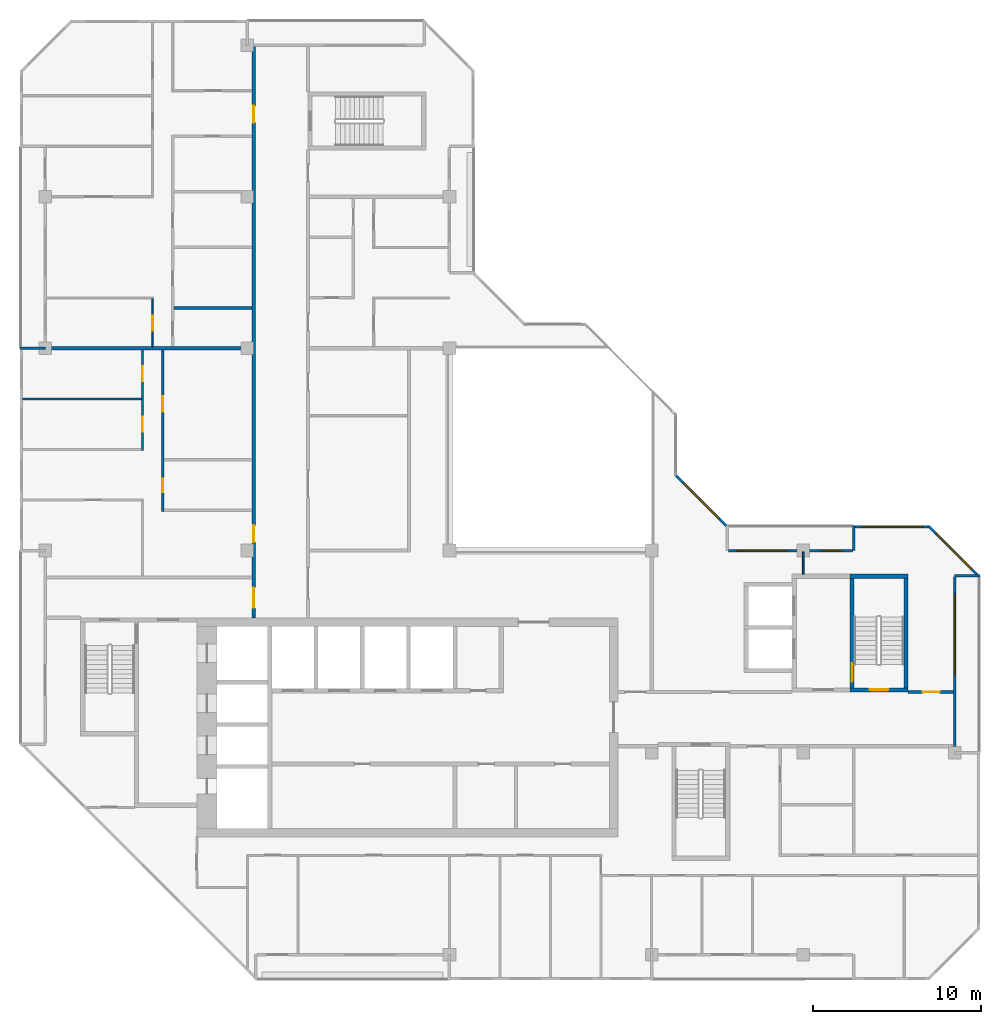
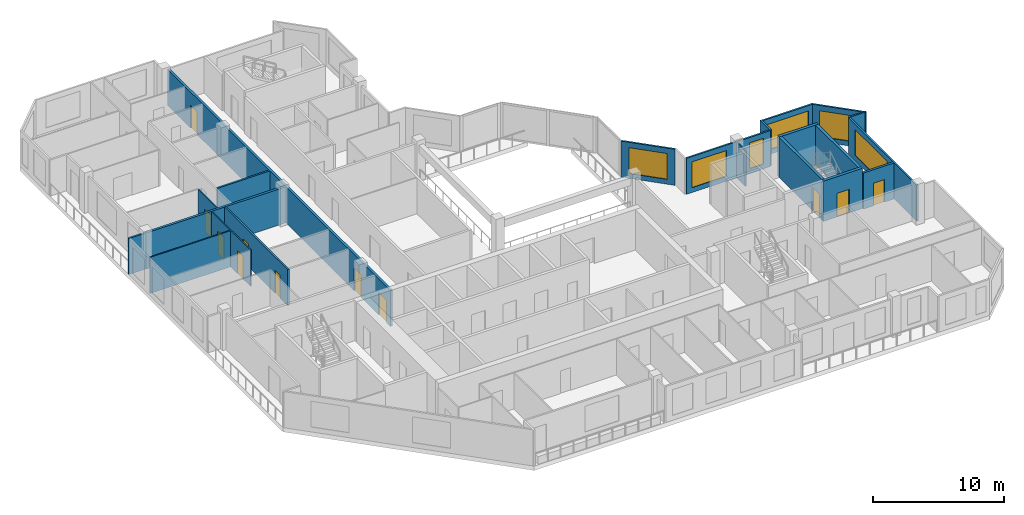
# One storey, part 7 of 12: 21 walls, 11 doors, 6 windows, 17 openings.
"""IFC4 building model written with IfcOpenShell, lengths in metres."""

from ifc_helpers import new_model, si_unit, direction, frame, frame_2d, origin, place, context, subcontext, project, spatial, rectangle, extrude, material, layer, layer_set, type_object, element, fill, save


model = new_model("IFC4")

# Units and contexts
model_context = context("Model", 3, precision=1e-05, world=origin(), true_north=direction((0.0, 1.0)))
body_context = subcontext(model_context, "Body", "Model", "MODEL_VIEW")
ifc_project = project(units=[si_unit("LENGTHUNIT", "METRE"), si_unit("AREAUNIT", "SQUARE_METRE"), si_unit("VOLUMEUNIT", "CUBIC_METRE"), si_unit("PLANEANGLEUNIT", "RADIAN"), si_unit("MASSUNIT", "GRAM", prefix="KILO")], contexts=[model_context])

# Site, building, storey
site_placement = place(None, origin())
site = spatial("IfcSite", under=ifc_project, at=site_placement, CompositionType="ELEMENT")
building_placement = place(site_placement, origin())
building = spatial("IfcBuilding", under=site, at=building_placement, Name="Chenar Terraces", CompositionType="ELEMENT")
storey_placement = place(building_placement, frame((0.0, 0.0, 365.14990234375)))
storey = spatial("IfcBuildingStorey", under=building, at=storey_placement, Name="L85", CompositionType="ELEMENT", Elevation=365.14990234375)

# Wall, opening, door
ifc_material_1 = material(Name="Concrete C50/60", Category="concrete")
ifc_layer_1 = layer(ifc_material_1, 0.25)
ifc_layer_set_1 = layer_set([ifc_layer_1], Name="Concrete C50/60")
wall_type_1 = type_object("IfcWallType", Name="Core wall 250 Concrete C50/60", PredefinedType="SHEAR", material=ifc_layer_set_1)
wall_1_placement = place(storey_placement, frame((47.77490234375, 15.72509765625, 0.0), z_axis=(0.0, 0.0, 1.0), x_axis=(1.0, 0.0, 0.0)))
wall_1 = element("IfcWall", 1, at=wall_1_placement, inside=storey, type_object=wall_type_1, Name="Core wall ST3_S L85", PredefinedType="SHEAR", context=body_context, shape_type="SweptSolid", body=[
    extrude(rectangle(XDim=3.4501953125, YDim=0.25, at=frame_2d((1.72509765625, 0.0))), origin(), (0.0, 0.0, 1.0), 3.75),
])
opening_1_placement = place(wall_1_placement, frame((1.175048828125, 0.0, 0.0)))
opening_1 = element("IfcOpeningElement", 2, at=opening_1_placement, cuts=wall_1, Name="Opening DL85-C8", PredefinedType="OPENING", context=body_context, shape_type="SweptSolid", body=[
    extrude(rectangle(XDim=1.10009765625, YDim=2.199951171875, at=frame_2d((0.550048828125, 1.10009765625))), frame((0.0, 0.135009765625, 0.0), z_axis=(0.0, -1.0, 0.0), x_axis=(1.0, 0.0, 0.0)), (0.0, 0.0, 1.0), 0.27001953125),
])
ifc_material_2 = material(Name="Steel-framed fire-resisting door leaf", Category="steel")
door_type_1 = type_object("IfcDoorType", Name="Stair fire door FD60 1100 x 2200", OperationType="SINGLE_SWING_LEFT", PredefinedType="DOOR", material=ifc_material_2)
door_1_placement = place(opening_1_placement, frame((1.10009765625, 0.0, 0.0), z_axis=(0.0, 0.0, 1.0), x_axis=(-1.0, 0.0, 0.0)))
door_1 = element("IfcDoor", 3, at=door_1_placement, inside=storey, type_object=door_type_1, Name="Stair door DL85-C8", OperationType="SINGLE_SWING_LEFT", OverallHeight=2.199951171875, OverallWidth=1.10009765625, PredefinedType="DOOR", context=body_context, shape_type="SweptSolid", body=[
    extrude(rectangle(XDim=1.10009765625, YDim=2.199951171875, at=frame_2d((0.550048828125, 1.10009765625))), frame((0.0, 0.02490234375, 0.0), z_axis=(0.0, -1.0, 0.0), x_axis=(1.0, 0.0, 0.0)), (0.0, 0.0, 1.0), 0.050048828125),
])
fill(opening_1, door_1)

# Wall
wall_2_placement = place(storey_placement, frame((47.77490234375, 22.47509765625, 0.0), z_axis=(0.0, 0.0, 1.0), x_axis=(1.0, 0.0, 0.0)))
element("IfcWall", 4, at=wall_2_placement, inside=storey, type_object=wall_type_1, Name="Core wall ST3_N L85", PredefinedType="SHEAR", context=body_context, shape_type="SweptSolid", body=[
    extrude(rectangle(XDim=3.4501953125, YDim=0.25, at=frame_2d((1.72509765625, 0.0))), origin(), (0.0, 0.0, 1.0), 3.75),
])

# Wall, opening, door
wall_3_placement = place(storey_placement, frame((47.89990234375, 15.85009765625, 0.0), z_axis=(0.0, 0.0, 1.0), x_axis=(0.0, 1.0, 0.0)))
wall_3 = element("IfcWall", 5, at=wall_3_placement, inside=storey, type_object=wall_type_1, Name="Core wall ST3_W L85", PredefinedType="SHEAR", context=body_context, shape_type="SweptSolid", body=[
    extrude(rectangle(XDim=6.5, YDim=0.25, at=frame_2d((3.25, 0.0))), origin(), (0.0, 0.0, 1.0), 3.75),
])
opening_2_placement = place(wall_3_placement, frame((0.35009765625, 0.0, 0.0)))
opening_2 = element("IfcOpeningElement", 6, at=opening_2_placement, cuts=wall_3, Name="Opening DL85-C11", PredefinedType="OPENING", context=body_context, shape_type="SweptSolid", body=[
    extrude(rectangle(XDim=1.10009765625, YDim=2.199951171875, at=frame_2d((0.550048828125, 1.10009765625))), frame((0.0, 0.135009765625, 0.0), z_axis=(0.0, -1.0, 0.0), x_axis=(1.0, 0.0, 0.0)), (0.0, 0.0, 1.0), 0.27001953125),
])
door_2_placement = place(opening_2_placement, frame((1.10009765625, 0.0, 0.0), z_axis=(0.0, 0.0, 1.0), x_axis=(-1.0, 0.0, 0.0)))
door_2 = element("IfcDoor", 7, at=door_2_placement, inside=storey, type_object=door_type_1, Name="Stair door DL85-C11", OperationType="SINGLE_SWING_RIGHT", OverallHeight=2.199951171875, OverallWidth=1.10009765625, PredefinedType="DOOR", context=body_context, shape_type="SweptSolid", body=[
    extrude(rectangle(XDim=1.10009765625, YDim=2.199951171875, at=frame_2d((0.550048828125, 1.10009765625))), frame((0.0, 0.02490234375, 0.0), z_axis=(0.0, -1.0, 0.0), x_axis=(1.0, 0.0, 0.0)), (0.0, 0.0, 1.0), 0.050048828125),
])
fill(opening_2, door_2)

# Wall
wall_4_placement = place(storey_placement, frame((51.10009765625, 15.85009765625, 0.0), z_axis=(0.0, 0.0, 1.0), x_axis=(0.0, 1.0, 0.0)))
element("IfcWall", 8, at=wall_4_placement, inside=storey, type_object=wall_type_1, Name="Core wall ST3_E L85", PredefinedType="SHEAR", context=body_context, shape_type="SweptSolid", body=[
    extrude(rectangle(XDim=6.5, YDim=0.25, at=frame_2d((3.25, 0.0))), origin(), (0.0, 0.0, 1.0), 3.75),
])

# Wall, openings, doors
ifc_material_3 = material(Name="Gypsum board on steel studs with fire boards", Category="steel")
ifc_layer_2 = layer(ifc_material_3, 0.199951171875)
ifc_layer_set_2 = layer_set([ifc_layer_2], Name="Gypsum board on steel studs with fire boards")
wall_type_2 = type_object("IfcWallType", Name="Corridor wall 200", PredefinedType="PARTITIONING", material=ifc_layer_set_2)
wall_5_placement = place(storey_placement, frame((12.375, 20.0, 0.0), z_axis=(0.0, 0.0, 1.0), x_axis=(0.0, 1.0, 0.0)))
wall_5 = element("IfcWall", 9, at=wall_5_placement, inside=storey, type_object=wall_type_2, Name="Partition L85-030", PredefinedType="PARTITIONING", context=body_context, shape_type="SweptSolid", body=[
    extrude(rectangle(XDim=33.926025390625, YDim=0.199951171875, at=frame_2d((16.962890625, 0.0))), origin(), (0.0, 0.0, 1.0), 3.35009765625),
])
opening_3_placement = place(wall_5_placement, frame((29.39990234375, 0.0, 0.0)))
opening_3 = element("IfcOpeningElement", 10, at=opening_3_placement, cuts=wall_5, Name="Opening DL85-14", PredefinedType="OPENING", context=body_context, shape_type="SweptSolid", body=[
    extrude(rectangle(XDim=1.0, YDim=2.10009765625, at=frame_2d((0.5, 1.050048828125))), frame((0.0, 0.10986328125, 0.0), z_axis=(0.0, -1.0, 0.0), x_axis=(1.0, 0.0, 0.0)), (0.0, 0.0, 1.0), 0.219970703125),
])
opening_4_placement = place(wall_5_placement, frame((0.60009765625, 0.0, 0.0)))
opening_4 = element("IfcOpeningElement", 11, at=opening_4_placement, cuts=wall_5, Name="Opening DL85-21", PredefinedType="OPENING", context=body_context, shape_type="SweptSolid", body=[
    extrude(rectangle(XDim=1.199951171875, YDim=2.10009765625, at=frame_2d((0.60009765625, 1.050048828125))), frame((0.0, 0.10986328125, 0.0), z_axis=(0.0, -1.0, 0.0), x_axis=(1.0, 0.0, 0.0)), (0.0, 0.0, 1.0), 0.219970703125),
])
opening_5_placement = place(wall_5_placement, frame((4.5, 0.0, 0.0)))
opening_5 = element("IfcOpeningElement", 12, at=opening_5_placement, cuts=wall_5, Name="Opening DL85-44", PredefinedType="OPENING", context=body_context, shape_type="SweptSolid", body=[
    extrude(rectangle(XDim=1.0, YDim=2.10009765625, at=frame_2d((0.5, 1.050048828125))), frame((0.0, 0.10986328125, 0.0), z_axis=(0.0, -1.0, 0.0), x_axis=(1.0, 0.0, 0.0)), (0.0, 0.0, 1.0), 0.219970703125),
])
ifc_material_4 = material(Name="Steel-framed fire-resisting door leaf", Category="steel")
door_type_2 = type_object("IfcDoorType", Name="Fire door FD30S 1000 x 2100", OperationType="SINGLE_SWING_LEFT", PredefinedType="DOOR", material=ifc_material_4)
door_3_placement = place(opening_3_placement, origin())
door_3 = element("IfcDoor", 13, at=door_3_placement, inside=storey, type_object=door_type_2, Name="Door DL85-14", OperationType="SINGLE_SWING_LEFT", OverallHeight=2.10009765625, OverallWidth=1.0, PredefinedType="DOOR", context=body_context, shape_type="SweptSolid", body=[
    extrude(rectangle(XDim=1.0, YDim=2.10009765625, at=frame_2d((0.5, 1.050048828125))), frame((0.0, 0.02490234375, 0.0), z_axis=(0.0, -1.0, 0.0), x_axis=(1.0, 0.0, 0.0)), (0.0, 0.0, 1.0), 0.050048828125),
])
fill(opening_3, door_3)
door_4_placement = place(opening_5_placement, origin())
door_4 = element("IfcDoor", 14, at=door_4_placement, inside=storey, type_object=door_type_2, Name="Door DL85-44", OperationType="SINGLE_SWING_LEFT", OverallHeight=2.10009765625, OverallWidth=1.0, PredefinedType="DOOR", context=body_context, shape_type="SweptSolid", body=[
    extrude(rectangle(XDim=1.0, YDim=2.10009765625, at=frame_2d((0.5, 1.050048828125))), frame((0.0, 0.02490234375, 0.0), z_axis=(0.0, -1.0, 0.0), x_axis=(1.0, 0.0, 0.0)), (0.0, 0.0, 1.0), 0.050048828125),
])
fill(opening_5, door_4)
ifc_material_5 = material(Name="Steel-framed fire-resisting door leaf", Category="steel")
door_type_3 = type_object("IfcDoorType", Name="Fire door FD30S 1200 x 2100", OperationType="SINGLE_SWING_LEFT", PredefinedType="DOOR", material=ifc_material_5)
door_5_placement = place(opening_4_placement, origin())
door_5 = element("IfcDoor", 15, at=door_5_placement, inside=storey, type_object=door_type_3, Name="Door DL85-21", OperationType="SINGLE_SWING_RIGHT", OverallHeight=2.10009765625, OverallWidth=1.199951171875, PredefinedType="DOOR", context=body_context, shape_type="SweptSolid", body=[
    extrude(rectangle(XDim=1.199951171875, YDim=2.10009765625, at=frame_2d((0.60009765625, 1.050048828125))), frame((0.0, 0.02490234375, 0.0), z_axis=(0.0, -1.0, 0.0), x_axis=(1.0, 0.0, 0.0)), (0.0, 0.0, 1.0), 0.050048828125),
])
fill(opening_4, door_5)

# Wall, opening, door
wall_6_placement = place(storey_placement, frame((51.22509765625, 15.60009765625, 0.0), z_axis=(0.0, 0.0, 1.0), x_axis=(1.0, 0.0, 0.0)))
wall_6 = element("IfcWall", 16, at=wall_6_placement, inside=storey, type_object=wall_type_2, Name="Partition L85-064", PredefinedType="PARTITIONING", context=body_context, shape_type="SweptSolid", body=[
    extrude(rectangle(XDim=2.700927734375, YDim=0.199951171875, at=frame_2d((1.3505859375, 0.0))), origin(), (0.0, 0.0, 1.0), 3.35009765625),
])
opening_6_placement = place(wall_6_placement, frame((0.875, 0.0, 0.0)))
opening_6 = element("IfcOpeningElement", 17, at=opening_6_placement, cuts=wall_6, Name="Opening DL85-22", PredefinedType="OPENING", context=body_context, shape_type="SweptSolid", body=[
    extrude(rectangle(XDim=1.0, YDim=2.10009765625, at=frame_2d((0.5, 1.050048828125))), frame((0.0, 0.10986328125, 0.0), z_axis=(0.0, -1.0, 0.0), x_axis=(1.0, 0.0, 0.0)), (0.0, 0.0, 1.0), 0.219970703125),
])
ifc_material_6 = material(Name="Steel-framed fire-resisting door leaf", Category="steel")
door_type_4 = type_object("IfcDoorType", Name="Fire door FD60 1000 x 2100", OperationType="SINGLE_SWING_LEFT", PredefinedType="DOOR", material=ifc_material_6)
door_6_placement = place(opening_6_placement, origin())
door_6 = element("IfcDoor", 18, at=door_6_placement, inside=storey, type_object=door_type_4, Name="Door DL85-22", OperationType="SINGLE_SWING_RIGHT", OverallHeight=2.10009765625, OverallWidth=1.0, PredefinedType="DOOR", context=body_context, shape_type="SweptSolid", body=[
    extrude(rectangle(XDim=1.0, YDim=2.10009765625, at=frame_2d((0.5, 1.050048828125))), frame((0.0, 0.02490234375, 0.0), z_axis=(0.0, -1.0, 0.0), x_axis=(1.0, 0.0, 0.0)), (0.0, 0.0, 1.0), 0.050048828125),
])
fill(opening_6, door_6)

# Wall, opening, window
ifc_material_7 = material(Name="Aluminium framed glazing", Category="aluminium")
ifc_layer_3 = layer(ifc_material_7, 0.14990234375)
ifc_layer_set_3 = layer_set([ifc_layer_3], Name="Aluminium framed glazing")
wall_type_3 = type_object("IfcWallType", Name="Glazed flush facade wall 150", PredefinedType="SOLIDWALL", material=ifc_layer_set_3)
wall_7_placement = place(storey_placement, frame((52.5, 25.425048828125, 0.0), z_axis=(0.0, 0.0, 1.0), x_axis=(-1.0, 0.0, 0.0)))
wall_7 = element("IfcWall", 19, at=wall_7_placement, inside=storey, type_object=wall_type_3, Name="Glazed flush facade wall", PredefinedType="SOLIDWALL", context=body_context, shape_type="SweptSolid", body=[
    extrude(rectangle(XDim=4.425048828125, YDim=0.14990234375, at=frame_2d((2.21240234375, 0.0))), origin(), (0.0, 0.0, 1.0), 3.35009765625),
])
opening_7_placement = place(wall_7_placement, frame((0.41259765625, 0.0, 0.449951171875)))
opening_7 = element("IfcOpeningElement", 20, at=opening_7_placement, cuts=wall_7, Name="Opening W360x240", PredefinedType="OPENING", context=body_context, shape_type="SweptSolid", body=[
    extrude(rectangle(XDim=3.60009765625, YDim=2.39990234375, at=frame_2d((1.800048828125, 1.199951171875))), frame((0.0, 0.0849609375, 0.0), z_axis=(0.0, -1.0, 0.0), x_axis=(1.0, 0.0, 0.0)), (0.0, 0.0, 1.0), 0.169921875),
])
ifc_material_8 = material(Name="Low emissivity double glazing, aluminium frame", Category="aluminium")
window_type_1 = type_object("IfcWindowType", Name="Fixed light 3600 x 2400", PartitioningType="SINGLE_PANEL", PredefinedType="WINDOW", material=ifc_material_8)
window_1_placement = place(opening_7_placement, origin())
window_1 = element("IfcWindow", 21, at=window_1_placement, inside=storey, type_object=window_type_1, Name="Window", OverallHeight=2.39990234375, OverallWidth=3.60009765625, PartitioningType="SINGLE_PANEL", PredefinedType="WINDOW", context=body_context, shape_type="SweptSolid", body=[
    extrude(rectangle(XDim=3.60009765625, YDim=2.39990234375, at=frame_2d((1.800048828125, 1.199951171875))), frame((0.0, 0.030029296875, 0.0), z_axis=(0.0, -1.0, 0.0), x_axis=(1.0, 0.0, 0.0)), (0.0, 0.0, 1.0), 0.06005859375),
])
fill(opening_7, window_1)

# Wall, openings, windows
ifc_material_9 = material(Name="Aluminium framed glazing", Category="aluminium")
ifc_layer_4 = layer(ifc_material_9, 0.14990234375)
ifc_layer_set_4 = layer_set([ifc_layer_4], Name="Aluminium framed glazing")
wall_type_4 = type_object("IfcWallType", Name="Glazed loggia back wall 150", PredefinedType="SOLIDWALL", material=ifc_layer_set_4)
wall_8_placement = place(storey_placement, frame((47.925048828125, 24.0, 0.0), z_axis=(0.0, 0.0, 1.0), x_axis=(-1.0, 0.0, 0.0)))
wall_8 = element("IfcWall", 22, at=wall_8_placement, inside=storey, type_object=wall_type_4, Name="Glazed loggia back wall", PredefinedType="SOLIDWALL", context=body_context, shape_type="SweptSolid", body=[
    extrude(rectangle(XDim=7.35009765625, YDim=0.14990234375, at=frame_2d((3.675048828125, 0.0))), origin(), (0.0, 0.0, 1.0), 3.35009765625),
])
opening_8_placement = place(wall_8_placement, frame((0.625, 0.0, 0.449951171875)))
opening_8 = element("IfcOpeningElement", 23, at=opening_8_placement, cuts=wall_8, Name="Opening W120x240", PredefinedType="OPENING", context=body_context, shape_type="SweptSolid", body=[
    extrude(rectangle(XDim=1.199951171875, YDim=2.39990234375, at=frame_2d((0.60009765625, 1.199951171875))), frame((0.0, 0.0849609375, 0.0), z_axis=(0.0, -1.0, 0.0), x_axis=(1.0, 0.0, 0.0)), (0.0, 0.0, 1.0), 0.169921875),
])
opening_9_placement = place(wall_8_placement, frame((3.875, 0.0, 0.449951171875)))
opening_9 = element("IfcOpeningElement", 24, at=opening_9_placement, cuts=wall_8, Name="Opening W300x240", PredefinedType="OPENING", context=body_context, shape_type="SweptSolid", body=[
    extrude(rectangle(XDim=3.0, YDim=2.39990234375, at=frame_2d((1.5, 1.199951171875))), frame((0.0, 0.0849609375, 0.0), z_axis=(0.0, -1.0, 0.0), x_axis=(1.0, 0.0, 0.0)), (0.0, 0.0, 1.0), 0.169921875),
])
ifc_material_10 = material(Name="Low emissivity double glazing, aluminium frame", Category="aluminium")
window_type_2 = type_object("IfcWindowType", Name="Fixed light 1200 x 2400", PartitioningType="SINGLE_PANEL", PredefinedType="WINDOW", material=ifc_material_10)
window_2_placement = place(opening_8_placement, origin())
window_2 = element("IfcWindow", 25, at=window_2_placement, inside=storey, type_object=window_type_2, Name="Window", OverallHeight=2.39990234375, OverallWidth=1.199951171875, PartitioningType="SINGLE_PANEL", PredefinedType="WINDOW", context=body_context, shape_type="SweptSolid", body=[
    extrude(rectangle(XDim=1.199951171875, YDim=2.39990234375, at=frame_2d((0.60009765625, 1.199951171875))), frame((0.0, 0.030029296875, 0.0), z_axis=(0.0, -1.0, 0.0), x_axis=(1.0, 0.0, 0.0)), (0.0, 0.0, 1.0), 0.06005859375),
])
fill(opening_8, window_2)
ifc_material_11 = material(Name="Low emissivity double glazing, aluminium frame", Category="aluminium")
window_type_3 = type_object("IfcWindowType", Name="Fixed light 3000 x 2400", PartitioningType="SINGLE_PANEL", PredefinedType="WINDOW", material=ifc_material_11)
window_3_placement = place(opening_9_placement, origin())
window_3 = element("IfcWindow", 26, at=window_3_placement, inside=storey, type_object=window_type_3, Name="Window", OverallHeight=2.39990234375, OverallWidth=3.0, PartitioningType="SINGLE_PANEL", PredefinedType="WINDOW", context=body_context, shape_type="SweptSolid", body=[
    extrude(rectangle(XDim=3.0, YDim=2.39990234375, at=frame_2d((1.5, 1.199951171875))), frame((0.0, 0.030029296875, 0.0), z_axis=(0.0, -1.0, 0.0), x_axis=(1.0, 0.0, 0.0)), (0.0, 0.0, 1.0), 0.06005859375),
])
fill(opening_9, window_3)

# Wall, opening, window
wall_9_placement = place(storey_placement, frame((54.0, 12.074951171875, 0.0), z_axis=(0.0, 0.0, 1.0), x_axis=(0.0, 1.0, 0.0)))
wall_9 = element("IfcWall", 27, at=wall_9_placement, inside=storey, type_object=wall_type_4, Name="Glazed loggia back wall", PredefinedType="SOLIDWALL", context=body_context, shape_type="SweptSolid", body=[
    extrude(rectangle(XDim=10.35009765625, YDim=0.14990234375, at=frame_2d((5.175048828125, 0.0))), origin(), (0.0, 0.0, 1.0), 3.35009765625),
])
opening_10_placement = place(wall_9_placement, frame((4.53759765625, 0.0, 0.449951171875)))
opening_10 = element("IfcOpeningElement", 28, at=opening_10_placement, cuts=wall_9, Name="Opening W480x240", PredefinedType="OPENING", context=body_context, shape_type="SweptSolid", body=[
    extrude(rectangle(XDim=4.800048828125, YDim=2.39990234375, at=frame_2d((2.39990234375, 1.199951171875))), frame((0.0, 0.0849609375, 0.0), z_axis=(0.0, -1.0, 0.0), x_axis=(1.0, 0.0, 0.0)), (0.0, 0.0, 1.0), 0.169921875),
])
ifc_material_12 = material(Name="Low emissivity double glazing, aluminium frame", Category="aluminium")
window_type_4 = type_object("IfcWindowType", Name="Fixed light 4800 x 2400", PartitioningType="SINGLE_PANEL", PredefinedType="WINDOW", material=ifc_material_12)
window_4_placement = place(opening_10_placement, origin())
window_4 = element("IfcWindow", 29, at=window_4_placement, inside=storey, type_object=window_type_4, Name="Window", OverallHeight=2.39990234375, OverallWidth=4.800048828125, PartitioningType="SINGLE_PANEL", PredefinedType="WINDOW", context=body_context, shape_type="SweptSolid", body=[
    extrude(rectangle(XDim=4.800048828125, YDim=2.39990234375, at=frame_2d((2.39990234375, 1.199951171875))), frame((0.0, 0.030029296875, 0.0), z_axis=(0.0, -1.0, 0.0), x_axis=(1.0, 0.0, 0.0)), (0.0, 0.0, 1.0), 0.06005859375),
])
fill(opening_10, window_4)

# Wall
ifc_material_13 = material(Name="Gypsum board on steel studs", Category="steel")
ifc_layer_5 = layer(ifc_material_13, 0.10009765625)
ifc_layer_set_5 = layer_set([ifc_layer_5], Name="Gypsum board on steel studs")
wall_type_5 = type_object("IfcWallType", Name="Gypsum partition 100", PredefinedType="PARTITIONING", material=ifc_layer_set_5)
wall_10_placement = place(storey_placement, frame((-1.35009765625, 33.0, 0.0), z_axis=(0.0, 0.0, 1.0), x_axis=(1.0, 0.0, 0.0)))
element("IfcWall", 30, at=wall_10_placement, inside=storey, type_object=wall_type_5, Name="Partition L85-003", PredefinedType="PARTITIONING", context=body_context, shape_type="SweptSolid", body=[
    extrude(rectangle(XDim=7.0751953125, YDim=0.10009765625, at=frame_2d((3.53759765625, 0.0))), origin(), (0.0, 0.0, 1.0), 3.35009765625),
])

# Wall, openings, doors
wall_11_placement = place(storey_placement, frame((5.77490234375, 29.949951171875, 0.0), z_axis=(0.0, 0.0, 1.0), x_axis=(0.0, 1.0, 0.0)))
wall_11 = element("IfcWall", 31, at=wall_11_placement, inside=storey, type_object=wall_type_5, Name="Partition L85-013", PredefinedType="PARTITIONING", context=body_context, shape_type="SweptSolid", body=[
    extrude(rectangle(XDim=5.949951171875, YDim=0.10009765625, at=frame_2d((2.97509765625, 0.0))), origin(), (0.0, 0.0, 1.0), 3.35009765625),
])
opening_11_placement = place(wall_11_placement, frame((1.10009765625, 0.0, 0.0)))
opening_11 = element("IfcOpeningElement", 32, at=opening_11_placement, cuts=wall_11, Name="Opening DL85-42", PredefinedType="OPENING", context=body_context, shape_type="SweptSolid", body=[
    extrude(rectangle(XDim=0.89990234375, YDim=2.10009765625, at=frame_2d((0.449951171875, 1.050048828125))), frame((0.0, 0.06005859375, 0.0), z_axis=(0.0, -1.0, 0.0), x_axis=(1.0, 0.0, 0.0)), (0.0, 0.0, 1.0), 0.1201171875),
])
opening_12_placement = place(wall_11_placement, frame((4.10009765625, 0.0, 0.0)))
opening_12 = element("IfcOpeningElement", 33, at=opening_12_placement, cuts=wall_11, Name="Opening DL85-45", PredefinedType="OPENING", context=body_context, shape_type="SweptSolid", body=[
    extrude(rectangle(XDim=0.89990234375, YDim=2.10009765625, at=frame_2d((0.449951171875, 1.050048828125))), frame((0.0, 0.06005859375, 0.0), z_axis=(0.0, -1.0, 0.0), x_axis=(1.0, 0.0, 0.0)), (0.0, 0.0, 1.0), 0.1201171875),
])
ifc_material_14 = material(Name="Veneered timber door leaf", Category="wood")
door_type_5 = type_object("IfcDoorType", Name="Door 900 x 2100", OperationType="SINGLE_SWING_LEFT", PredefinedType="DOOR", material=ifc_material_14)
door_7_placement = place(opening_11_placement, origin())
door_7 = element("IfcDoor", 34, at=door_7_placement, inside=storey, type_object=door_type_5, Name="Door DL85-42", OperationType="SINGLE_SWING_LEFT", OverallHeight=2.10009765625, OverallWidth=0.89990234375, PredefinedType="DOOR", context=body_context, shape_type="SweptSolid", body=[
    extrude(rectangle(XDim=0.89990234375, YDim=2.10009765625, at=frame_2d((0.449951171875, 1.050048828125))), frame((0.0, 0.02490234375, 0.0), z_axis=(0.0, -1.0, 0.0), x_axis=(1.0, 0.0, 0.0)), (0.0, 0.0, 1.0), 0.050048828125),
])
fill(opening_11, door_7)
door_8_placement = place(opening_12_placement, origin())
door_8 = element("IfcDoor", 35, at=door_8_placement, inside=storey, type_object=door_type_5, Name="Door DL85-45", OperationType="SINGLE_SWING_RIGHT", OverallHeight=2.10009765625, OverallWidth=0.89990234375, PredefinedType="DOOR", context=body_context, shape_type="SweptSolid", body=[
    extrude(rectangle(XDim=0.89990234375, YDim=2.10009765625, at=frame_2d((0.449951171875, 1.050048828125))), frame((0.0, 0.02490234375, 0.0), z_axis=(0.0, -1.0, 0.0), x_axis=(1.0, 0.0, 0.0)), (0.0, 0.0, 1.0), 0.050048828125),
])
fill(opening_12, door_8)

# Wall, opening, door
wall_12_placement = place(storey_placement, frame((6.375, 36.10009765625, 0.0), z_axis=(0.0, 0.0, 1.0), x_axis=(0.0, 1.0, 0.0)))
wall_12 = element("IfcWall", 36, at=wall_12_placement, inside=storey, type_object=wall_type_5, Name="Partition L85-014", PredefinedType="PARTITIONING", context=body_context, shape_type="SweptSolid", body=[
    extrude(rectangle(XDim=2.849853515625, YDim=0.10009765625, at=frame_2d((1.4248046875, 0.0))), origin(), (0.0, 0.0, 1.0), 3.35009765625),
])
opening_13_placement = place(wall_12_placement, frame((0.949951171875, 0.0, 0.0)))
opening_13 = element("IfcOpeningElement", 37, at=opening_13_placement, cuts=wall_12, Name="Opening DL85-10", PredefinedType="OPENING", context=body_context, shape_type="SweptSolid", body=[
    extrude(rectangle(XDim=0.89990234375, YDim=2.10009765625, at=frame_2d((0.449951171875, 1.050048828125))), frame((0.0, 0.06005859375, 0.0), z_axis=(0.0, -1.0, 0.0), x_axis=(1.0, 0.0, 0.0)), (0.0, 0.0, 1.0), 0.1201171875),
])
door_9_placement = place(opening_13_placement, origin())
door_9 = element("IfcDoor", 38, at=door_9_placement, inside=storey, type_object=door_type_5, Name="Door DL85-10", OperationType="SINGLE_SWING_RIGHT", OverallHeight=2.10009765625, OverallWidth=0.89990234375, PredefinedType="DOOR", context=body_context, shape_type="SweptSolid", body=[
    extrude(rectangle(XDim=0.89990234375, YDim=2.10009765625, at=frame_2d((0.449951171875, 1.050048828125))), frame((0.0, 0.02490234375, 0.0), z_axis=(0.0, -1.0, 0.0), x_axis=(1.0, 0.0, 0.0)), (0.0, 0.0, 1.0), 0.050048828125),
])
fill(opening_13, door_9)

# Walls
wall_13_placement = place(storey_placement, frame((45.0, 22.60009765625, 0.0), z_axis=(0.0, 0.0, 1.0), x_axis=(0.0, 1.0, 0.0)))
element("IfcWall", 39, at=wall_13_placement, inside=storey, type_object=wall_type_5, Name="Partition L85-061", PredefinedType="PARTITIONING", context=body_context, shape_type="SweptSolid", body=[
    extrude(rectangle(XDim=1.325927734375, YDim=0.10009765625, at=frame_2d((0.6630859375, 0.0))), origin(), (0.0, 0.0, 1.0), 3.35009765625),
])
ifc_material_15 = material(Name="Terracotta cladding on insulated backing", Category="masonry")
ifc_layer_6 = layer(ifc_material_15, 0.14990234375)
ifc_layer_set_6 = layer_set([ifc_layer_6], Name="Terracotta cladding on insulated backing")
wall_type_6 = type_object("IfcWallType", Name="Loggia return wall 150", PredefinedType="SOLIDWALL", material=ifc_layer_set_6)
for number, where, z_axis, x_axis, name in (
    (40, (48.0, 25.5, 0.0), (0.0, 0.0, 1.0), (0.0, -1.0, 0.0), "Loggia return wall"),
    (41, (-1.5, 36.0, 0.0), (0.0, 0.0, 1.0), (1.0, 0.0, 0.0), "Loggia return wall"),
    (42, (55.5, 22.5, 0.0), (0.0, 0.0, 1.0), (-1.0, 0.0, 0.0), "Loggia return wall"),
):
    element("IfcWall", number, at=place(storey_placement, frame(where, z_axis=z_axis, x_axis=x_axis)), inside=storey, type_object=wall_type_6, Name=name, PredefinedType="SOLIDWALL", context=body_context, shape_type="SweptSolid", body=[
        extrude(rectangle(XDim=1.5, YDim=0.14990234375, at=frame_2d((0.75, 0.0))), origin(), (0.0, 0.0, 1.0), 3.35009765625),
    ])

# Wall, opening, window
ifc_material_16 = material(Name="Terracotta cladding on insulated backing", Category="masonry")
ifc_layer_7 = layer(ifc_material_16, 0.14990234375)
ifc_layer_set_7 = layer_set([ifc_layer_7], Name="Terracotta cladding on insulated backing")
wall_type_7 = type_object("IfcWallType", Name="Terracotta rainscreen wall 150", PredefinedType="SOLIDWALL", material=ifc_layer_set_7)
wall_14_placement = place(storey_placement, frame((40.447021484375, 25.447021484375, 0.0), z_axis=(0.0, 0.0, 1.0), x_axis=(-0.707106781187, 0.707106781187, 0.0)))
wall_14 = element("IfcWall", 43, at=wall_14_placement, inside=storey, type_object=wall_type_7, Name="Terracotta rainscreen wall", PredefinedType="SOLIDWALL", context=body_context, shape_type="SweptSolid", body=[
    extrude(rectangle(XDim=4.24267578125, YDim=0.14990234375, at=frame_2d((2.121337890625, 0.0))), origin(), (0.0, 0.0, 1.0), 3.35009765625),
])
opening_14_placement = place(wall_14_placement, frame((0.621337890625, 0.0, 0.449951171875)))
opening_14 = element("IfcOpeningElement", 44, at=opening_14_placement, cuts=wall_14, Name="Opening W300x240", PredefinedType="OPENING", context=body_context, shape_type="SweptSolid", body=[
    extrude(rectangle(XDim=3.0, YDim=2.39990234375, at=frame_2d((1.5, 1.199951171875))), frame((0.0, 0.0849609375, 0.0), z_axis=(0.0, -1.0, 0.0), x_axis=(1.0, 0.0, 0.0)), (0.0, 0.0, 1.0), 0.169921875),
])
window_5_placement = place(opening_14_placement, origin())
window_5 = element("IfcWindow", 45, at=window_5_placement, inside=storey, type_object=window_type_3, Name="Window", OverallHeight=2.39990234375, OverallWidth=3.0, PartitioningType="SINGLE_PANEL", PredefinedType="WINDOW", context=body_context, shape_type="SweptSolid", body=[
    extrude(rectangle(XDim=3.0, YDim=2.39990234375, at=frame_2d((1.5, 1.199951171875))), frame((0.0, 0.030029296875, 0.0), z_axis=(0.0, -1.0, 0.0), x_axis=(1.0, 0.0, 0.0)), (0.0, 0.0, 1.0), 0.06005859375),
])
fill(opening_14, window_5)

wall_15_placement = place(storey_placement, frame((55.447021484375, 22.447021484375, 0.0), z_axis=(0.0, 0.0, 1.0), x_axis=(-0.707106781187, 0.707106781187, 0.0)))
wall_15 = element("IfcWall", 46, at=wall_15_placement, inside=storey, type_object=wall_type_7, Name="Terracotta rainscreen wall", PredefinedType="SOLIDWALL", context=body_context, shape_type="SweptSolid", body=[
    extrude(rectangle(XDim=4.24267578125, YDim=0.14990234375, at=frame_2d((2.121337890625, 0.0))), origin(), (0.0, 0.0, 1.0), 3.35009765625),
])
opening_15_placement = place(wall_15_placement, frame((0.621337890625, 0.0, 0.449951171875)))
opening_15 = element("IfcOpeningElement", 47, at=opening_15_placement, cuts=wall_15, Name="Opening W300x240", PredefinedType="OPENING", context=body_context, shape_type="SweptSolid", body=[
    extrude(rectangle(XDim=3.0, YDim=2.39990234375, at=frame_2d((1.5, 1.199951171875))), frame((0.0, 0.0849609375, 0.0), z_axis=(0.0, -1.0, 0.0), x_axis=(1.0, 0.0, 0.0)), (0.0, 0.0, 1.0), 0.169921875),
])
window_6_placement = place(opening_15_placement, origin())
window_6 = element("IfcWindow", 48, at=window_6_placement, inside=storey, type_object=window_type_3, Name="Window", OverallHeight=2.39990234375, OverallWidth=3.0, PartitioningType="SINGLE_PANEL", PredefinedType="WINDOW", context=body_context, shape_type="SweptSolid", body=[
    extrude(rectangle(XDim=3.0, YDim=2.39990234375, at=frame_2d((1.5, 1.199951171875))), frame((0.0, 0.030029296875, 0.0), z_axis=(0.0, -1.0, 0.0), x_axis=(1.0, 0.0, 0.0)), (0.0, 0.0, 1.0), 0.06005859375),
])
fill(opening_15, window_6)

# Wall
ifc_material_17 = material(Name="Twin gypsum board on steel studs with mineral wool", Category="steel")
ifc_layer_8 = layer(ifc_material_17, 0.199951171875)
ifc_layer_set_8 = layer_set([ifc_layer_8], Name="Twin gypsum board on steel studs with mineral wool")
wall_type_8 = type_object("IfcWallType", Name="Unit demising wall 200", PredefinedType="PARTITIONING", material=ifc_layer_set_8)
wall_16_placement = place(storey_placement, frame((0.0, 36.0, 0.0), z_axis=(0.0, 0.0, 1.0), x_axis=(1.0, 0.0, 0.0)))
element("IfcWall", 49, at=wall_16_placement, inside=storey, type_object=wall_type_8, Name="Partition L85-004", PredefinedType="PARTITIONING", context=body_context, shape_type="SweptSolid", body=[
    extrude(rectangle(XDim=12.27490234375, YDim=0.199951171875, at=frame_2d((6.137451171875, 0.0))), origin(), (0.0, 0.0, 1.0), 3.35009765625),
])

# Wall, openings, doors
ifc_material_18 = material(Name="Moisture-resistant gypsum board on steel studs", Category="steel")
ifc_layer_9 = layer(ifc_material_18, 0.14990234375)
ifc_layer_set_9 = layer_set([ifc_layer_9], Name="Moisture-resistant gypsum board on steel studs")
wall_type_9 = type_object("IfcWallType", Name="Wet-room partition 150", PredefinedType="PARTITIONING", material=ifc_layer_set_9)
wall_17_placement = place(storey_placement, frame((6.97509765625, 26.324951171875, 0.0), z_axis=(0.0, 0.0, 1.0), x_axis=(0.0, 1.0, 0.0)))
wall_17 = element("IfcWall", 50, at=wall_17_placement, inside=storey, type_object=wall_type_9, Name="Partition L85-016", PredefinedType="PARTITIONING", context=body_context, shape_type="SweptSolid", body=[
    extrude(rectangle(XDim=9.574951171875, YDim=0.14990234375, at=frame_2d((4.78759765625, 0.0))), origin(), (0.0, 0.0, 1.0), 3.35009765625),
])
opening_16_placement = place(wall_17_placement, frame((1.125, 0.0, 0.0)))
opening_16 = element("IfcOpeningElement", 51, at=opening_16_placement, cuts=wall_17, Name="Opening DL85-40", PredefinedType="OPENING", context=body_context, shape_type="SweptSolid", body=[
    extrude(rectangle(XDim=0.800048828125, YDim=2.10009765625, at=frame_2d((0.39990234375, 1.050048828125))), frame((0.0, 0.0849609375, 0.0), z_axis=(0.0, -1.0, 0.0), x_axis=(1.0, 0.0, 0.0)), (0.0, 0.0, 1.0), 0.169921875),
])
opening_17_placement = place(wall_17_placement, frame((5.925048828125, 0.0, 0.0)))
opening_17 = element("IfcOpeningElement", 52, at=opening_17_placement, cuts=wall_17, Name="Opening DL85-43", PredefinedType="OPENING", context=body_context, shape_type="SweptSolid", body=[
    extrude(rectangle(XDim=0.89990234375, YDim=2.10009765625, at=frame_2d((0.449951171875, 1.050048828125))), frame((0.0, 0.0849609375, 0.0), z_axis=(0.0, -1.0, 0.0), x_axis=(1.0, 0.0, 0.0)), (0.0, 0.0, 1.0), 0.169921875),
])
ifc_material_19 = material(Name="Veneered timber door leaf", Category="wood")
door_type_6 = type_object("IfcDoorType", Name="Door 800 x 2100", OperationType="SINGLE_SWING_LEFT", PredefinedType="DOOR", material=ifc_material_19)
door_10_placement = place(opening_16_placement, frame((0.800048828125, 0.0, 0.0), z_axis=(0.0, 0.0, 1.0), x_axis=(-1.0, 0.0, 0.0)))
door_10 = element("IfcDoor", 53, at=door_10_placement, inside=storey, type_object=door_type_6, Name="Door DL85-40", OperationType="SINGLE_SWING_RIGHT", OverallHeight=2.10009765625, OverallWidth=0.800048828125, PredefinedType="DOOR", context=body_context, shape_type="SweptSolid", body=[
    extrude(rectangle(XDim=0.800048828125, YDim=2.10009765625, at=frame_2d((0.39990234375, 1.050048828125))), frame((0.0, 0.02490234375, 0.0), z_axis=(0.0, -1.0, 0.0), x_axis=(1.0, 0.0, 0.0)), (0.0, 0.0, 1.0), 0.050048828125),
])
fill(opening_16, door_10)
door_11_placement = place(opening_17_placement, frame((0.89990234375, 0.0, 0.0), z_axis=(0.0, 0.0, 1.0), x_axis=(-1.0, 0.0, 0.0)))
door_11 = element("IfcDoor", 54, at=door_11_placement, inside=storey, type_object=door_type_5, Name="Door DL85-43", OperationType="SINGLE_SWING_RIGHT", OverallHeight=2.10009765625, OverallWidth=0.89990234375, PredefinedType="DOOR", context=body_context, shape_type="SweptSolid", body=[
    extrude(rectangle(XDim=0.89990234375, YDim=2.10009765625, at=frame_2d((0.449951171875, 1.050048828125))), frame((0.0, 0.02490234375, 0.0), z_axis=(0.0, -1.0, 0.0), x_axis=(1.0, 0.0, 0.0)), (0.0, 0.0, 1.0), 0.050048828125),
])
fill(opening_17, door_11)

# Wall
wall_18_placement = place(storey_placement, frame((7.64990234375, 38.39990234375, 0.0), z_axis=(0.0, 0.0, 1.0), x_axis=(1.0, 0.0, 0.0)))
element("IfcWall", 55, at=wall_18_placement, inside=storey, type_object=wall_type_9, Name="Partition L85-022", PredefinedType="PARTITIONING", context=body_context, shape_type="SweptSolid", body=[
    extrude(rectangle(XDim=4.625, YDim=0.14990234375, at=frame_2d((2.3125, 0.0))), origin(), (0.0, 0.0, 1.0), 3.35009765625),
])

save(model, "model.ifc")
